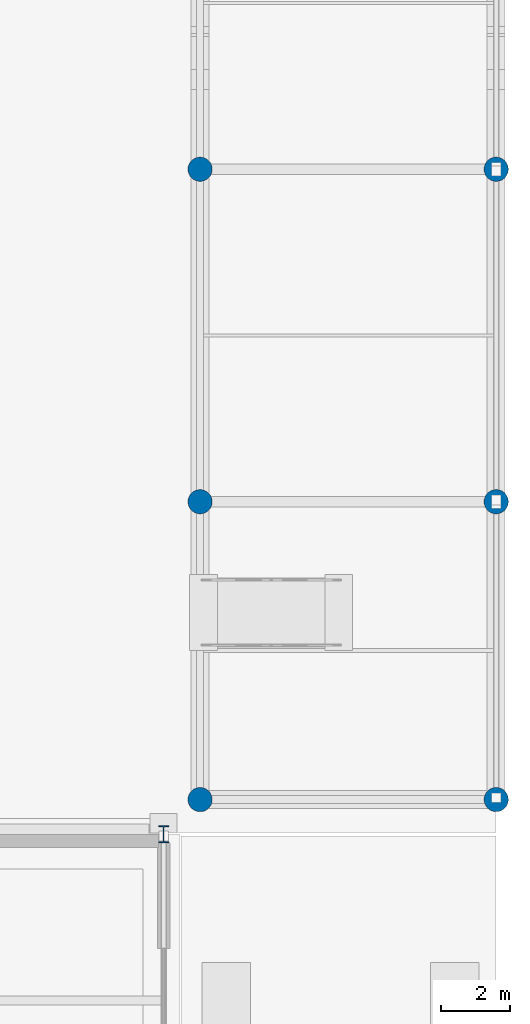
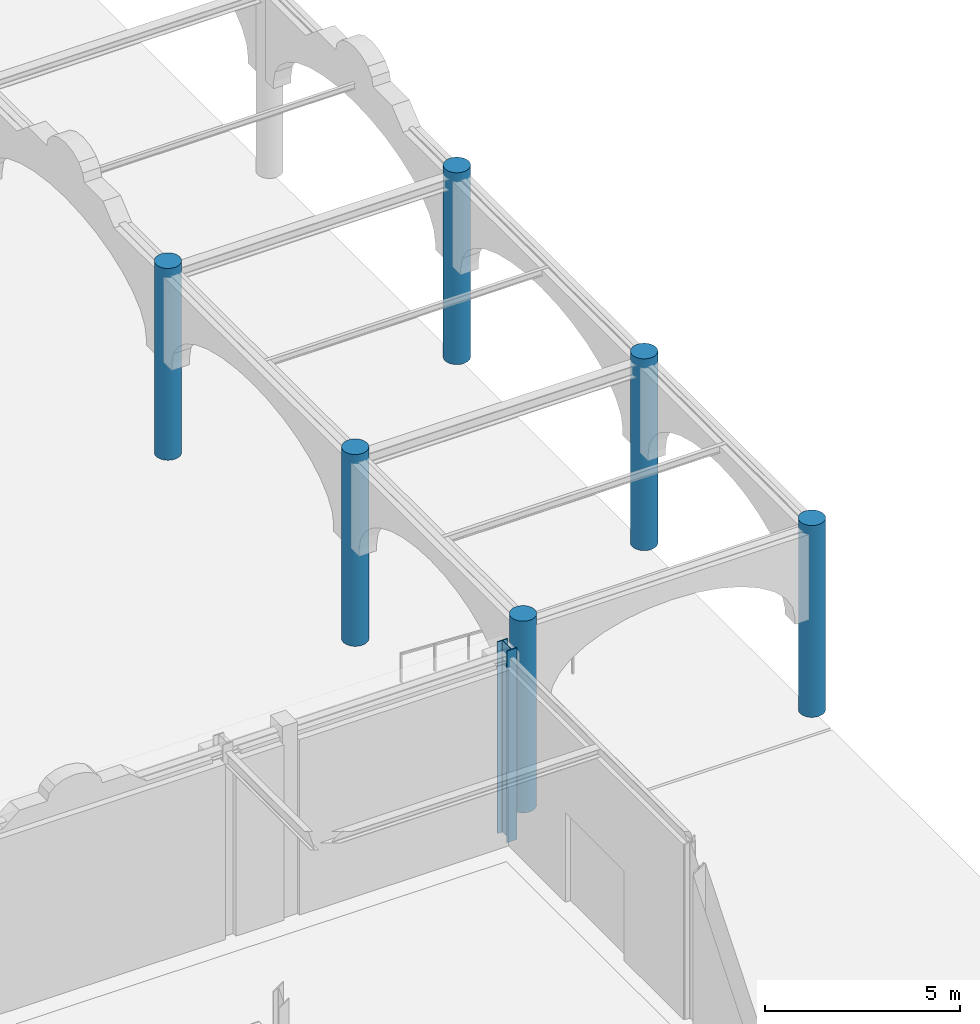
# One storey, part 21 of 113: 7 columns.
"""IFC4 building model written with IfcOpenShell, lengths in metres."""

from ifc_helpers import new_model, si_unit, direction, frame, origin, origin_2d, place, context, subcontext, project, spatial, circle, i_section, extrude, material, material_profile, profile_set, type_object, element, save


model = new_model("IFC4")

# Units and contexts
model_context = context("Model", 3, precision=1e-05, world=origin(), true_north=direction((0.0, 1.0)))
body_context = subcontext(model_context, "Body", "Model", "MODEL_VIEW")
ifc_project = project(units=[si_unit("LENGTHUNIT", "METRE"), si_unit("AREAUNIT", "SQUARE_METRE"), si_unit("VOLUMEUNIT", "CUBIC_METRE"), si_unit("PLANEANGLEUNIT", "RADIAN"), si_unit("MASSUNIT", "GRAM", prefix="KILO")], contexts=[model_context])

# Site, building, storey
site_placement = place(None, origin())
site = spatial("IfcSite", under=ifc_project, at=site_placement, CompositionType="ELEMENT")
building_placement = place(site_placement, origin())
building = spatial("IfcBuilding", under=site, at=building_placement, Name="Myrtia Square Station", CompositionType="ELEMENT")
storey_placement = place(building_placement, origin())
storey = spatial("IfcBuildingStorey", under=building, at=storey_placement, Name="L00", CompositionType="ELEMENT", Elevation=0.0)

# Columns
ifc_material_1 = material(Name="Steel S355", Category="steel")
ifc_material_profile_1 = material_profile(ifc_material_1, i_section(OverallWidth=0.300048828125, OverallDepth=0.5, WebThickness=0.014404296875, FlangeThickness=0.028076171875, FilletRadius=0.027099609375, at=origin_2d()), Name="HEB 500")
ifc_profile_set_1 = profile_set([ifc_material_profile_1], Name="Steel S355")
column_type_1 = type_object("IfcColumnType", Name="COL-HEB500", PredefinedType="COLUMN", material=ifc_profile_set_1)
column_placement = place(storey_placement, frame((179.39990234375, 38.39990234375, 0.0), z_axis=(0.0, 0.0, 1.0), x_axis=(1.0, 0.0, 0.0)))
element("IfcColumn", 1, at=column_placement, inside=storey, type_object=column_type_1, Name="Column L00-0732", PredefinedType="COLUMN", context=body_context, shape_type="SweptSolid", body=[
    extrude(i_section(OverallWidth=0.300048828125, OverallDepth=0.5, WebThickness=0.014404296875, FlangeThickness=0.028076171875, FilletRadius=0.027099609375, at=origin_2d()), origin(), (0.0, 0.0, 1.0), 6.0),
])
ifc_material_2 = material(Name="Concrete C40/50", Category="concrete")
ifc_material_profile_2 = material_profile(ifc_material_2, circle(Radius=0.35009765625, at=origin_2d()), Name="RC D700")
ifc_profile_set_2 = profile_set([ifc_material_profile_2], Name="Concrete C40/50")
column_type_2 = type_object("IfcColumnType", Name="COL-RCD700", PredefinedType="COLUMN", material=ifc_profile_set_2)
for number, where, z_axis, x_axis, name in (
    (2, (180.449951171875, 39.39990234375, 0.0), (0.0, 0.0, 1.0), (1.0, 0.0, 0.0), "Column L00-0482"),
    (3, (180.449951171875, 48.0, 0.0), (0.0, 0.0, 1.0), (1.0, 0.0, 0.0), "Column L00-0484"),
    (4, (180.449951171875, 57.60009765625, 0.0), (0.0, 0.0, 1.0), (1.0, 0.0, 0.0), "Column L00-0486"),
    (5, (189.0, 39.39990234375, 0.0), (0.0, 0.0, 1.0), (1.0, 0.0, 0.0), "Column L00-0494"),
    (6, (189.0, 48.0, 0.0), (0.0, 0.0, 1.0), (1.0, 0.0, 0.0), "Column L00-0496"),
    (7, (189.0, 57.60009765625, 0.0), (0.0, 0.0, 1.0), (1.0, 0.0, 0.0), "Column L00-0498"),
):
    element("IfcColumn", number, at=place(storey_placement, frame(where, z_axis=z_axis, x_axis=x_axis)), inside=storey, type_object=column_type_2, Name=name, PredefinedType="COLUMN", context=body_context, shape_type="SweptSolid", body=[
        extrude(circle(Radius=0.35009765625, at=origin_2d()), origin(), (0.0, 0.0, 1.0), 6.0),
    ])

save(model, "model.ifc")
